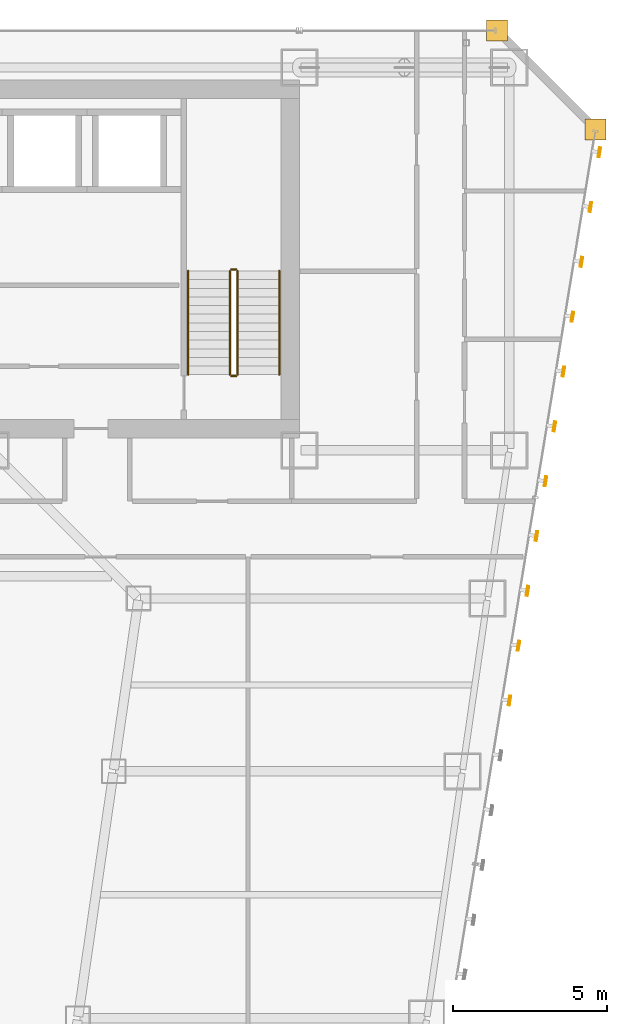
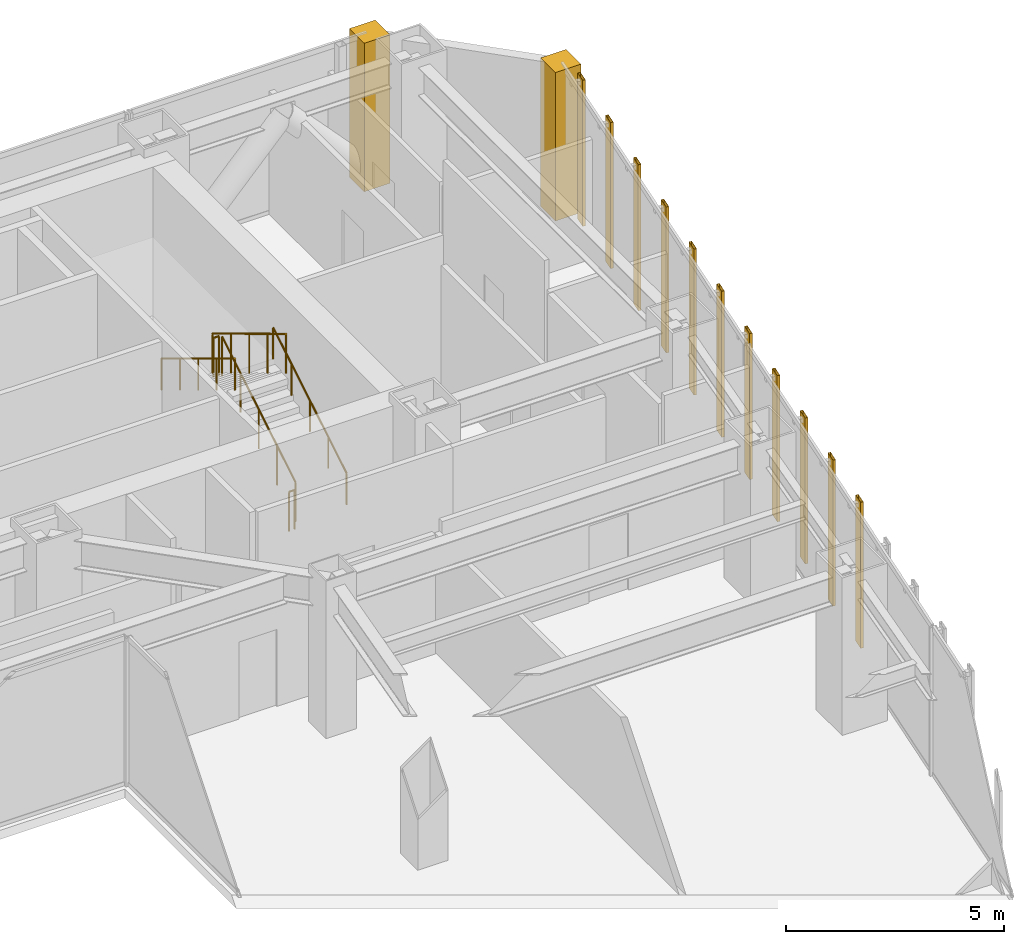
# One storey, part 47 of 47: 11 shading devices, 6 railings, 2 coverings.
"""IFC4 building model written with IfcOpenShell, lengths in metres."""

import ifcopenshell
import ifcopenshell.guid

model = None  # the IFC model being written
_history = None  # IfcOwnerHistory: only IFC2X3 demands one
_inside = {}  # id of a spatial element -> (the spatial element, [elements in it])
_under = {}  # id of a project, library or spatial element -> (it, [spatial elements below it])
_declared = {}  # id of a project -> (the project, [libraries it declares])
_typed = {}  # id of a type object -> (the type object, [elements of that type])
_made_of = {}  # id of a material, layer set ... -> (it, [elements and type objects made of it])


def new_model(schema):
    """Start an empty IFC model of exactly this schema.

    Asked for "IFC4X3", IfcOpenShell would pick the latest addendum, in which some entities
    have other attributes; the version numbers below select the first issue.
    IFC2X3 requires an IfcOwnerHistory on every rooted entity: one is made here for all.
    """
    global model, _history
    if schema == "IFC4X3":
        model = ifcopenshell.file(schema_version=(4, 3, 0, 0))
    else:
        model = ifcopenshell.file(schema=schema)
    _inside.clear()
    _under.clear()
    _declared.clear()
    _typed.clear()
    _made_of.clear()
    _history = None
    if model.schema == "IFC2X3":
        org = make("IfcOrganization", Name="unknown")
        user = make(
            "IfcPersonAndOrganization",
            ThePerson=make("IfcPerson", FamilyName="unknown"),
            TheOrganization=org,
        )
        app = make(
            "IfcApplication",
            ApplicationDeveloper=org,
            Version="unknown",
            ApplicationFullName="unknown",
            ApplicationIdentifier="unknown",
        )
        _history = make(
            "IfcOwnerHistory",
            OwningUser=user,
            OwningApplication=app,
            ChangeAction="ADDED",
            CreationDate=0,
        )
    return model


def make(cls, **values):
    """One entity of the class cls with the attributes given. An attribute that is None is left unset."""
    return model.create_entity(
        cls, **{name: value for name, value in values.items() if value is not None}
    )


def rooted(cls, **values):
    """An entity with a GlobalId (a new one), such as an element, a storey or a relation."""
    return make(cls, GlobalId=ifcopenshell.guid.new(), OwnerHistory=_history, **values)


def si_unit(unit_type, name, prefix=None):
    """IfcSIUnit, for example si_unit("LENGTHUNIT", "METRE", prefix="MILLI")."""
    return make("IfcSIUnit", UnitType=unit_type, Prefix=prefix, Name=name)


def assignment(units):
    """IfcUnitAssignment: the units of a project."""
    return None if units is None else make("IfcUnitAssignment", Units=units)


def point(xyz):
    """IfcCartesianPoint."""
    return None if xyz is None else make("IfcCartesianPoint", Coordinates=xyz)


def direction(xyz):
    """IfcDirection."""
    return None if xyz is None else make("IfcDirection", DirectionRatios=xyz)


def frame(location, z_axis=None, x_axis=None):
    """IfcAxis2Placement3D, a coordinate frame: its origin and axes. An axis left out is left unset."""
    return make(
        "IfcAxis2Placement3D",
        Location=point(location),
        Axis=direction(z_axis),
        RefDirection=direction(x_axis),
    )


def frame_2d(location, x_axis=None):
    """IfcAxis2Placement2D, a coordinate frame in the plane: its origin and x axis."""
    return make(
        "IfcAxis2Placement2D", Location=point(location), RefDirection=direction(x_axis)
    )


def origin():
    """The frame at (0, 0, 0) with its axes left unset."""
    return frame((0.0, 0.0, 0.0))


def origin_2d():
    """The frame at (0, 0) in the plane with its x axis left unset."""
    return frame_2d((0.0, 0.0))


def place(relative_to, where):
    """IfcLocalPlacement: puts the frame where relative to a parent placement (None: the world)."""
    return make(
        "IfcLocalPlacement", PlacementRelTo=relative_to, RelativePlacement=where
    )


def context(
    kind, dimensions, precision=None, world=None, true_north=None, identifier=None
):
    """IfcGeometricRepresentationContext, for example the 3D "Model" context."""
    return make(
        "IfcGeometricRepresentationContext",
        ContextIdentifier=identifier,
        ContextType=kind,
        CoordinateSpaceDimension=dimensions,
        Precision=precision,
        WorldCoordinateSystem=world,
        TrueNorth=true_north,
    )


def subcontext(parent, identifier, kind, view, scale=None):
    """IfcGeometricRepresentationSubContext, for example "Body" below "Model"."""
    return make(
        "IfcGeometricRepresentationSubContext",
        ContextIdentifier=identifier,
        ContextType=kind,
        ParentContext=parent,
        TargetScale=scale,
        TargetView=view,
    )


def project(units=None, contexts=None):
    """IfcProject with its units and contexts."""
    return rooted(
        "IfcProject",
        Name="project",
        RepresentationContexts=contexts,
        UnitsInContext=assignment(units),
    )


def spatial(cls, under=None, at=None, **own):
    """A site, building, storey or space (cls), placed at a placement, below another one or the project."""
    s = rooted(cls, ObjectPlacement=at, **own)
    if under is not None:
        _under.setdefault(under.id(), (under, []))[1].append(s)
    return s


def polyline(points):
    """IfcPolyline through the points."""
    return make("IfcPolyline", Points=[point(p) for p in points])


def profile(cls, at=None, kind="AREA", **sizes):
    """A parametric profile (cls). Its sizes go by their IFC names, for example OverallWidth=200.0."""
    return make(cls, ProfileType=kind, Position=at, **sizes)


def hollow_rectangle(**sizes):
    """IfcRectangleHollowProfileDef."""
    return profile("IfcRectangleHollowProfileDef", **sizes)


def circle(**sizes):
    """IfcCircleProfileDef."""
    return profile("IfcCircleProfileDef", **sizes)


def outline(outer, holes=None, kind="AREA"):
    """IfcArbitraryClosedProfileDef: a profile drawn as a closed curve; with holes, ...WithVoids."""
    if holes is None:
        return make("IfcArbitraryClosedProfileDef", ProfileType=kind, OuterCurve=outer)
    return make(
        "IfcArbitraryProfileDefWithVoids",
        ProfileType=kind,
        OuterCurve=outer,
        InnerCurves=holes,
    )


def extrude(swept, where, along, depth):
    """IfcExtrudedAreaSolid: the profile swept, set in the frame where, extruded along a direction by depth."""
    return make(
        "IfcExtrudedAreaSolid",
        SweptArea=swept,
        Position=where,
        ExtrudedDirection=direction(along),
        Depth=depth,
    )


def shape(context_of_items, identifier, shape_type, items):
    """IfcShapeRepresentation: the items that make up one representation, for example the "Body"."""
    return make(
        "IfcShapeRepresentation",
        ContextOfItems=context_of_items,
        RepresentationIdentifier=identifier,
        RepresentationType=shape_type,
        Items=items,
    )


def material(Name=None, Category=None):
    """IfcMaterial."""
    return make("IfcMaterial", Name=Name, Category=Category)


def layer(
    of_material, thickness, ventilated=None, Name=None, Category=None, Priority=None
):
    """IfcMaterialLayer: one layer of a wall or slab, of a material (None: an air gap)."""
    return make(
        "IfcMaterialLayer",
        Material=of_material,
        LayerThickness=thickness,
        IsVentilated=ventilated,
        Name=Name,
        Category=Category,
        Priority=Priority,
    )


def layer_set(layers, Name=None):
    """IfcMaterialLayerSet."""
    return make("IfcMaterialLayerSet", MaterialLayers=layers, LayerSetName=Name)


def material_profile(
    of_material, cross_section, Name=None, Category=None, Priority=None
):
    """IfcMaterialProfile: a cross section and its material."""
    return make(
        "IfcMaterialProfile",
        Name=Name,
        Material=of_material,
        Profile=cross_section,
        Priority=Priority,
        Category=Category,
    )


def profile_set(profiles, Name=None, composite=None):
    """IfcMaterialProfileSet."""
    return make(
        "IfcMaterialProfileSet",
        Name=Name,
        MaterialProfiles=profiles,
        CompositeProfile=composite,
    )


def made_of(thing, what):
    """Note that an element or type object is made of a material, layer set ...; save() writes the relation."""
    if what is not None:
        _made_of.setdefault(what.id(), (what, []))[1].append(thing)
    return thing


def type_object(cls, material=None, **own):
    """A type object (cls), such as IfcWallType, which elements share."""
    return made_of(rooted(cls, **own), material)


def element(
    cls,
    number,
    at=None,
    inside=None,
    cuts=None,
    type_object=None,
    material=None,
    context=None,
    identifier="Body",
    shape_type=None,
    held_by="IfcProductDefinitionShape",
    body=None,
    shapes=None,
    **own,
):
    """One element of the class cls, such as IfcWall. Its Tag is "e" and its number.

    at: its placement. inside: the storey or other place that contains it. cuts: it is an
    opening in that element (IfcRelVoidsElement). A single representation is given by context,
    identifier, shape_type and body (its items); several are given by shapes. held_by: the class
    of the entity that holds the representations. save() writes the other relations.
    """
    e = rooted(cls, Tag="e%d" % number, ObjectPlacement=at, **own)
    if body is not None:
        shapes = [shape(context, identifier, shape_type, body)]
    if shapes is not None:
        e.Representation = make(held_by, Representations=shapes)
    if inside is not None:
        _inside.setdefault(inside.id(), (inside, []))[1].append(e)
    if cuts is not None:
        rooted(
            "IfcRelVoidsElement", RelatingBuildingElement=cuts, RelatedOpeningElement=e
        )
    if type_object is not None:
        _typed.setdefault(type_object.id(), (type_object, []))[1].append(e)
    return made_of(e, material)


def aggregate(whole, parts):
    """IfcRelAggregates: a whole, such as a stair, and the parts it consists of."""
    return rooted("IfcRelAggregates", RelatingObject=whole, RelatedObjects=parts)


def save(model, path):
    """Write the relations noted so far, then the file.

    IfcRelAggregates (storeys below a building ...), IfcRelContainedInSpatialStructure (elements
    in a storey), IfcRelDefinesByType, IfcRelAssociatesMaterial and IfcRelDeclares: one each for
    every whole, place, type object, material and project.
    """
    for whole, parts in _under.values():
        aggregate(whole, parts)
    for where, things in _inside.values():
        rooted(
            "IfcRelContainedInSpatialStructure",
            RelatedElements=things,
            RelatingStructure=where,
        )
    for kind, things in _typed.values():
        rooted("IfcRelDefinesByType", RelatedObjects=things, RelatingType=kind)
    for what, things in _made_of.values():
        rooted("IfcRelAssociatesMaterial", RelatedObjects=things, RelatingMaterial=what)
    for by, libraries in _declared.values():
        rooted("IfcRelDeclares", RelatingContext=by, RelatedDefinitions=libraries)
    model.write(path)


model = new_model("IFC4")

# Units and contexts
model_context = context("Model", 3, precision=1e-05, world=origin(), true_north=direction((0.0, 1.0)))
body_context = subcontext(model_context, "Body", "Model", "MODEL_VIEW")
ifc_project = project(units=[si_unit("LENGTHUNIT", "METRE"), si_unit("AREAUNIT", "SQUARE_METRE"), si_unit("VOLUMEUNIT", "CUBIC_METRE"), si_unit("PLANEANGLEUNIT", "RADIAN"), si_unit("MASSUNIT", "GRAM", prefix="KILO")], contexts=[model_context])

# Site, building, storey
site_placement = place(None, origin())
site = spatial("IfcSite", under=ifc_project, at=site_placement, CompositionType="ELEMENT")
building_placement = place(site_placement, origin())
building = spatial("IfcBuilding", under=site, at=building_placement, Name="Saevonmaru Cultural Tower", CompositionType="ELEMENT")
storey_placement = place(building_placement, frame((0.0, 0.0, 78.0)))
storey = spatial("IfcBuildingStorey", under=building, at=storey_placement, Name="L16", CompositionType="ELEMENT", Elevation=78.0)

# Coverings
ifc_material_1 = material(Name="Satin Bronze Anodised Aluminium", Category="aluminium")
ifc_layer = layer(ifc_material_1, 0.679931640625, Name="Satin Bronze Anodised Aluminium")
ifc_layer_set = layer_set([ifc_layer], Name="Satin Bronze Anodised Aluminium")
covering_type = type_object("IfcCoveringType", Name="CV-CORNER-CLAD", PredefinedType="CLADDING", material=ifc_layer_set)
covering_1_placement = place(storey_placement, origin())
element("IfcCovering", 1, at=covering_1_placement, inside=storey, type_object=covering_type, Name="L16 Tower Bronze Corner Cladding Pier 9", PredefinedType="CLADDING", context=body_context, shape_type="SweptSolid", body=[
    extrude(outline(polyline([(55.659912109375, 52.4599609375), (56.340087890625, 52.4599609375), (56.340087890625, 53.139892578125), (55.659912109375, 53.139892578125), (55.659912109375, 52.4599609375)])), origin(), (0.0, 0.0, 1.0), 4.14990234375),
])
covering_2_placement = place(storey_placement, origin())
element("IfcCovering", 2, at=covering_2_placement, inside=storey, type_object=covering_type, Name="L16 Tower Bronze Corner Cladding Pier 10", PredefinedType="CLADDING", context=body_context, shape_type="SweptSolid", body=[
    extrude(outline(polyline([(52.4599609375, 55.659912109375), (53.139892578125, 55.659912109375), (53.139892578125, 56.340087890625), (52.4599609375, 56.340087890625), (52.4599609375, 55.659912109375)])), origin(), (0.0, 0.0, 1.0), 4.14990234375),
])

# Railings
ifc_material_2 = material(Name="Architectural Painted Steel", Category="steel")
railing_type_1 = type_object("IfcRailingType", Name="RL-STAIR-GUARD", PredefinedType="GUARDRAIL", material=ifc_material_2)
railing_1_placement = place(storey_placement, frame((44.39990234375, 44.85009765625, 0.169189453125)))
element("IfcRailing", 3, at=railing_1_placement, inside=storey, type_object=railing_type_1, Name="L16 ST-2 stair guard 1", PredefinedType="GUARDRAIL", context=body_context, shape_type="SweptSolid", body=[
    extrude(circle(Radius=0.02392578125, at=origin_2d()), frame((0.0, 0.0, 1.09619140625), z_axis=(0.0, 0.855820338506, 0.51727318527), x_axis=(-1.0, 0.0, 0.0)), (0.0, 0.0, 1.0), 3.92578125),
    extrude(circle(Radius=0.02099609375, at=origin_2d()), origin(), (0.0, 0.0, 1.0), 1.072021484375),
    extrude(circle(Radius=0.02099609375, at=origin_2d()), frame((0.0, 0.83984375, 0.5078125)), (0.0, 0.0, 1.0), 1.072021484375),
    extrude(circle(Radius=0.02099609375, at=origin_2d()), frame((0.0, 1.679931640625, 1.015380859375)), (0.0, 0.0, 1.0), 1.072021484375),
    extrude(circle(Radius=0.02099609375, at=origin_2d()), frame((0.0, 2.52001953125, 1.52294921875)), (0.0, 0.0, 1.0), 1.072021484375),
    extrude(circle(Radius=0.02099609375, at=origin_2d()), frame((0.0, 3.35986328125, 2.03076171875)), (0.0, 0.0, 1.0), 1.072021484375),
])
railing_2_placement = place(storey_placement, frame((44.35009765625, 48.260009765625, 2.199951171875)))
element("IfcRailing", 4, at=railing_2_placement, inside=storey, type_object=railing_type_1, Name="L16 ST-2 stair guard 2", PredefinedType="GUARDRAIL", context=body_context, shape_type="SweptSolid", body=[
    extrude(circle(Radius=0.02392578125, at=origin_2d()), frame((0.0, 0.0, 1.09619140625), z_axis=(-1.0, 0.0, 0.0), x_axis=(0.0, -1.0, 0.0)), (0.0, 0.0, 1.0), 0.150146484375),
    extrude(circle(Radius=0.02099609375, at=origin_2d()), origin(), (0.0, 0.0, 1.0), 1.072021484375),
    extrude(circle(Radius=0.02099609375, at=origin_2d()), frame((-0.150146484375, 0.0, 0.0)), (0.0, 0.0, 1.0), 1.072021484375),
])
railing_3_placement = place(storey_placement, frame((44.14990234375, 48.2099609375, 2.369140625)))
element("IfcRailing", 5, at=railing_3_placement, inside=storey, type_object=railing_type_1, Name="L16 ST-2 stair guard 3", PredefinedType="GUARDRAIL", context=body_context, shape_type="SweptSolid", body=[
    extrude(circle(Radius=0.02392578125, at=origin_2d()), frame((0.0, 0.0, 1.09619140625), z_axis=(0.0, -0.855820338506, 0.51727318527), x_axis=(1.0, 0.0, 0.0)), (0.0, 0.0, 1.0), 3.92578125),
    extrude(circle(Radius=0.02099609375, at=origin_2d()), origin(), (0.0, 0.0, 1.0), 1.072021484375),
    extrude(circle(Radius=0.02099609375, at=origin_2d()), frame((0.0, -0.83984375, 0.5078125)), (0.0, 0.0, 1.0), 1.072021484375),
    extrude(circle(Radius=0.02099609375, at=origin_2d()), frame((0.0, -1.679931640625, 1.015380859375)), (0.0, 0.0, 1.0), 1.072021484375),
    extrude(circle(Radius=0.02099609375, at=origin_2d()), frame((0.0, -2.52001953125, 1.52294921875)), (0.0, 0.0, 1.0), 1.072021484375),
    extrude(circle(Radius=0.02099609375, at=origin_2d()), frame((0.0, -3.35986328125, 2.03076171875)), (0.0, 0.0, 1.0), 1.072021484375),
])
railing_4_placement = place(storey_placement, frame((44.35009765625, 44.800048828125, 0.0)))
element("IfcRailing", 6, at=railing_4_placement, inside=storey, type_object=railing_type_1, Name="L16 ST-2 stair guard 4", PredefinedType="GUARDRAIL", context=body_context, shape_type="SweptSolid", body=[
    extrude(circle(Radius=0.02392578125, at=origin_2d()), frame((0.0, 0.0, 1.09619140625), z_axis=(-1.0, 0.0, 0.0), x_axis=(0.0, -1.0, 0.0)), (0.0, 0.0, 1.0), 0.150146484375),
    extrude(circle(Radius=0.02099609375, at=origin_2d()), origin(), (0.0, 0.0, 1.0), 1.072021484375),
    extrude(circle(Radius=0.02099609375, at=origin_2d()), frame((-0.150146484375, 0.0, 0.0)), (0.0, 0.0, 1.0), 1.072021484375),
])
railing_type_2 = type_object("IfcRailingType", Name="RL-STAIR-HANDRAIL", PredefinedType="HANDRAIL", material=ifc_material_1)
railing_5_placement = place(storey_placement, frame((45.75, 44.85009765625, 0.169189453125)))
element("IfcRailing", 7, at=railing_5_placement, inside=storey, type_object=railing_type_2, Name="L16 ST-2 stair handrail 1", PredefinedType="HANDRAIL", context=body_context, shape_type="SweptSolid", body=[
    extrude(circle(Radius=0.02392578125, at=origin_2d()), frame((0.0, 0.0, 0.8759765625), z_axis=(0.0, 0.855820338506, 0.51727318527), x_axis=(-1.0, 0.0, 0.0)), (0.0, 0.0, 1.0), 3.92578125),
    extrude(circle(Radius=0.02099609375, at=origin_2d()), origin(), (0.0, 0.0, 1.0), 0.851806640625),
    extrude(circle(Radius=0.02099609375, at=origin_2d()), frame((0.0, 0.83984375, 0.5078125)), (0.0, 0.0, 1.0), 0.851806640625),
    extrude(circle(Radius=0.02099609375, at=origin_2d()), frame((0.0, 1.679931640625, 1.015380859375)), (0.0, 0.0, 1.0), 0.851806640625),
    extrude(circle(Radius=0.02099609375, at=origin_2d()), frame((0.0, 2.52001953125, 1.52294921875)), (0.0, 0.0, 1.0), 0.851806640625),
    extrude(circle(Radius=0.02099609375, at=origin_2d()), frame((0.0, 3.35986328125, 2.03076171875)), (0.0, 0.0, 1.0), 0.851806640625),
])
railing_6_placement = place(storey_placement, frame((42.800048828125, 48.2099609375, 2.369140625)))
element("IfcRailing", 8, at=railing_6_placement, inside=storey, type_object=railing_type_2, Name="L16 ST-2 stair handrail 2", PredefinedType="HANDRAIL", context=body_context, shape_type="SweptSolid", body=[
    extrude(circle(Radius=0.02392578125, at=origin_2d()), frame((0.0, 0.0, 0.8759765625), z_axis=(0.0, -0.855820338506, 0.51727318527), x_axis=(1.0, 0.0, 0.0)), (0.0, 0.0, 1.0), 3.92578125),
    extrude(circle(Radius=0.02099609375, at=origin_2d()), origin(), (0.0, 0.0, 1.0), 0.851806640625),
    extrude(circle(Radius=0.02099609375, at=origin_2d()), frame((0.0, -0.83984375, 0.5078125)), (0.0, 0.0, 1.0), 0.851806640625),
    extrude(circle(Radius=0.02099609375, at=origin_2d()), frame((0.0, -1.679931640625, 1.015380859375)), (0.0, 0.0, 1.0), 0.851806640625),
    extrude(circle(Radius=0.02099609375, at=origin_2d()), frame((0.0, -2.52001953125, 1.52294921875)), (0.0, 0.0, 1.0), 0.851806640625),
    extrude(circle(Radius=0.02099609375, at=origin_2d()), frame((0.0, -3.35986328125, 2.03076171875)), (0.0, 0.0, 1.0), 0.851806640625),
])

# Shading devices
ifc_material_profile = material_profile(ifc_material_1, hollow_rectangle(XDim=0.070068359375, YDim=0.320068359375, WallThickness=0.0048828125, at=origin_2d()), Name="FIN-320x70")
ifc_profile_set = profile_set([ifc_material_profile], Name="Satin Bronze Anodised Aluminium")
shading_device_type = type_object("IfcShadingDeviceType", Name="SHD-FIN-320", PredefinedType="JALOUSIE", material=ifc_profile_set)
for number, where, z_axis, x_axis, name in (
    (9, (53.210205078125, 34.2900390625, 0.050048828125), (0.0, 0.0, 1.0), (0.986827496189, -0.161776057456, 0.0), "L16 Art Deco Sawtooth Bronze Fin E8-17"),
    (10, (53.501220703125, 36.06640625, 0.050048828125), (0.0, 0.0, 1.0), (0.986827496189, -0.161776057456, 0.0), "L16 Art Deco Sawtooth Bronze Fin E8-18"),
    (11, (53.792236328125, 37.8427734375, 0.050048828125), (0.0, 0.0, 1.0), (0.986827496189, -0.161776057456, 0.0), "L16 Art Deco Sawtooth Bronze Fin E8-19"),
    (12, (54.083251953125, 39.618896484375, 0.050048828125), (0.0, 0.0, 1.0), (0.986827496189, -0.161776057456, 0.0), "L16 Art Deco Sawtooth Bronze Fin E8-20"),
    (13, (54.37451171875, 41.3955078125, 0.050048828125), (0.0, 0.0, 1.0), (0.986827496189, -0.161776057456, 0.0), "L16 Art Deco Sawtooth Bronze Fin E8-21"),
    (14, (54.665283203125, 43.171630859375, 0.050048828125), (0.0, 0.0, 1.0), (0.986827496189, -0.161776057456, 0.0), "L16 Art Deco Sawtooth Bronze Fin E8-22"),
    (15, (54.95654296875, 44.947998046875, 0.050048828125), (0.0, 0.0, 1.0), (0.986827496189, -0.161776057456, 0.0), "L16 Art Deco Sawtooth Bronze Fin E8-23"),
    (16, (55.24755859375, 46.724365234375, 0.050048828125), (0.0, 0.0, 1.0), (0.986827496189, -0.161776057456, 0.0), "L16 Art Deco Sawtooth Bronze Fin E8-24"),
    (17, (55.538818359375, 48.50048828125, 0.050048828125), (0.0, 0.0, 1.0), (0.986827496189, -0.161776057456, 0.0), "L16 Art Deco Sawtooth Bronze Fin E8-25"),
    (18, (55.829833984375, 50.27685546875, 0.050048828125), (0.0, 0.0, 1.0), (0.986827496189, -0.161776057456, 0.0), "L16 Art Deco Sawtooth Bronze Fin E8-26"),
    (19, (56.120849609375, 52.05322265625, 0.050048828125), (0.0, 0.0, 1.0), (0.986827496189, -0.161776057456, 0.0), "L16 Art Deco Sawtooth Bronze Fin E8-27"),
):
    element("IfcShadingDevice", number, at=place(storey_placement, frame(where, z_axis=z_axis, x_axis=x_axis)), inside=storey, type_object=shading_device_type, Name=name, PredefinedType="JALOUSIE", context=body_context, shape_type="SweptSolid", body=[
        extrude(hollow_rectangle(XDim=0.070068359375, YDim=0.320068359375, WallThickness=0.0048828125, at=origin_2d()), origin(), (0.0, 0.0, 1.0), 4.079833984375),
    ])

save(model, "model.ifc")
